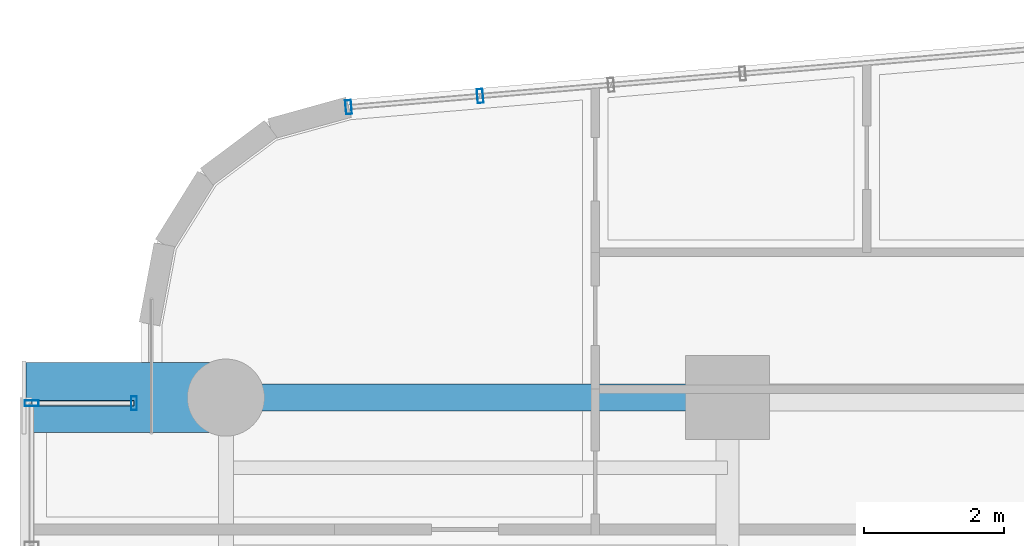
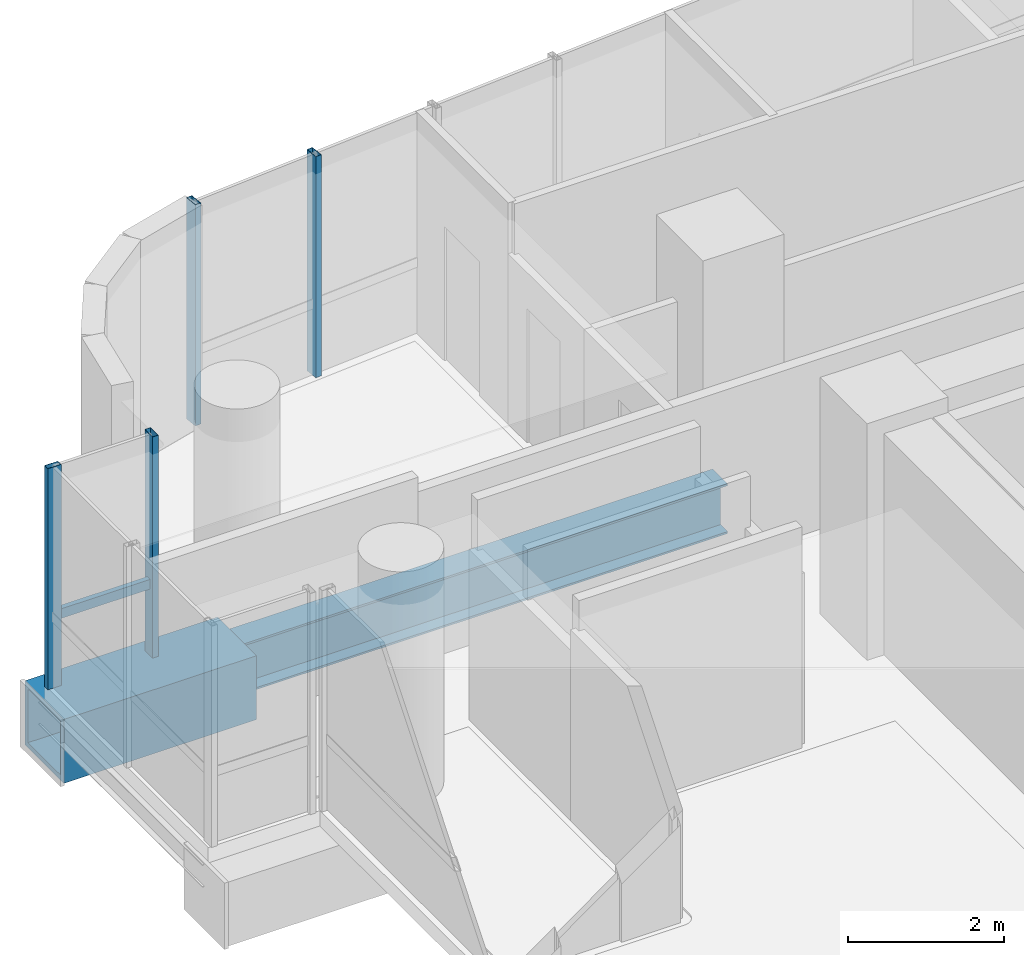
# One storey, part 19 of 35: 5 members, 2 beams, 3 elements without a shape of their own.
"""IFC4 building model written with IfcOpenShell, lengths in metres."""

from ifc_helpers import new_model, si_unit, direction, frame, origin, origin_2d, place, context, subcontext, project, spatial, hollow_rectangle, i_section, extrude, source, transform, mapped, material, material_profile, profile_set, type_object, element, aggregate, save


model = new_model("IFC4")

# Units and contexts
model_context = context("Model", 3, precision=1e-05, world=origin(), true_north=direction((0.0, 1.0)))
body_context = subcontext(model_context, "Body", "Model", "MODEL_VIEW")
ifc_project = project(units=[si_unit("LENGTHUNIT", "METRE"), si_unit("AREAUNIT", "SQUARE_METRE"), si_unit("VOLUMEUNIT", "CUBIC_METRE"), si_unit("PLANEANGLEUNIT", "RADIAN"), si_unit("MASSUNIT", "GRAM", prefix="KILO")], contexts=[model_context])

# Site, building, storey
site_placement = place(None, origin())
site = spatial("IfcSite", under=ifc_project, at=site_placement, CompositionType="ELEMENT")
building_placement = place(site_placement, origin())
building = spatial("IfcBuilding", under=site, at=building_placement, Name="Valdorenza Pilgrim Sanctuary Tower", CompositionType="ELEMENT")
storey_placement = place(building_placement, frame((0.0, 0.0, 150.10009765625)))
storey = spatial("IfcBuildingStorey", under=building, at=storey_placement, Name="L38", CompositionType="ELEMENT", Elevation=150.10009765625)

# Beams
ifc_material_1 = material(Name="Steel ASTM A992 Grade 50", Category="steel")
ifc_material_profile_1 = material_profile(ifc_material_1, i_section(OverallWidth=0.382080078125, OverallDepth=0.779052734375, WebThickness=0.01806640625, FlangeThickness=0.030029296875, at=origin_2d()), Name="W30X191")
ifc_profile_set_1 = profile_set([ifc_material_profile_1], Name="Steel ASTM A992 Grade 50")
beam_type_1 = type_object("IfcBeamType", Name="STR-BM-GRD-W30", PredefinedType="BEAM", material=ifc_profile_set_1)
shared_shape_1 = source(origin(), body_context, "Body", "SweptSolid", [
    extrude(i_section(OverallWidth=0.382080078125, OverallDepth=0.779052734375, WebThickness=0.01806640625, FlangeThickness=0.030029296875, at=origin_2d()), origin(), (0.0, 0.0, 1.0), 7.150146484375),
])
beam_1_placement = place(storey_placement, frame((-29.800048828125, 14.800048828125, -0.629638671875), z_axis=(1.0, 0.0, 0.0), x_axis=(0.0, 1.0, 0.0)))
element("IfcBeam", 1, at=beam_1_placement, inside=storey, type_object=beam_type_1, Name="L38 Floor Girder WA-XW-N2", PredefinedType="BEAM", context=body_context, shape_type="MappedRepresentation", body=[
    mapped(shared_shape_1, transform((0.0, 0.0, 0.0), x_axis=(1.0, 0.0, 0.0), y_axis=(0.0, 1.0, 0.0), z_axis=(0.0, 0.0, 1.0), scale=1.0)),
])
ifc_material_2 = material(Name="Steel ASTM A572 Grade 42", Category="steel")
ifc_material_profile_2 = material_profile(ifc_material_2, hollow_rectangle(XDim=1.0, YDim=1.0, WallThickness=0.080078125, at=origin_2d()), Name="BOX 1000x1000x80")
ifc_profile_set_2 = profile_set([ifc_material_profile_2], Name="Steel ASTM A572 Grade 42")
beam_type_2 = type_object("IfcBeamType", Name="STR-BM-PROW-CANT", PredefinedType="BEAM", material=ifc_profile_set_2)
shared_shape_2 = source(origin(), body_context, "Body", "SweptSolid", [
    extrude(hollow_rectangle(XDim=1.0, YDim=1.0, WallThickness=0.080078125, at=origin_2d()), origin(), (0.0, 0.0, 1.0), 2.849853515625),
])
beam_2_placement = place(storey_placement, frame((-29.800048828125, 14.800048828125, -0.739990234375), z_axis=(-1.0, 0.0, 0.0), x_axis=(0.0, -1.0, 0.0)))
element("IfcBeam", 2, at=beam_2_placement, inside=storey, type_object=beam_type_2, Name="L38 Glass Box Cantilever Beam BOX-WA-L38-CT-N", PredefinedType="BEAM", context=body_context, shape_type="MappedRepresentation", body=[
    mapped(shared_shape_2, transform((0.0, 0.0, 0.0), x_axis=(1.0, 0.0, 0.0), y_axis=(0.0, 1.0, 0.0), z_axis=(0.0, 0.0, 1.0), scale=1.0)),
])

# Curtain wall, member
ifc_material_3 = material(Name="Curtain-wall IGU glazing", Category="glass")
curtain_wall_type = type_object("IfcCurtainWallType", Name="CW-SYS-02", PredefinedType="NOTDEFINED", material=ifc_material_3)
curtain_wall_1_placement = place(storey_placement, origin())
curtain_wall_1 = element("IfcCurtainWall", 3, at=curtain_wall_1_placement, inside=storey, type_object=curtain_wall_type, Name="L38 Curtain Wall CW-L38-1-6", PredefinedType="NOTDEFINED")
ifc_material_4 = material(Name="Anodised aluminium AW-6060", Category="aluminium")
ifc_material_profile_3 = material_profile(ifc_material_4, hollow_rectangle(XDim=0.0849609375, YDim=0.199951171875, WallThickness=0.0048828125, at=origin_2d()), Name="ALU-M 200x85x5")
ifc_profile_set_3 = profile_set([ifc_material_profile_3], Name="Anodised aluminium AW-6060")
member_type_1 = type_object("IfcMemberType", Name="CW-MUL-02", PredefinedType="MULLION", material=ifc_profile_set_3)
shared_shape_3 = source(origin(), body_context, "Body", "SweptSolid", [
    extrude(hollow_rectangle(XDim=0.0849609375, YDim=0.199951171875, WallThickness=0.0048828125, at=origin_2d()), origin(), (0.0, 0.0, 1.0), 3.4599609375),
])
member_1_placement = place(storey_placement, frame((-28.051513671875, 18.940185546875, 0.0), z_axis=(0.0, 0.0, 1.0), x_axis=(0.99640764237, 0.084686541006, 0.0)))
member_1 = element("IfcMember", 4, at=member_1_placement, type_object=member_type_1, Name="CW-L38-1-6 Mullion 1", PredefinedType="MULLION", context=body_context, shape_type="MappedRepresentation", body=[
    mapped(shared_shape_3, transform((0.0, 0.0, 0.0), x_axis=(1.0, 0.0, 0.0), y_axis=(0.0, 1.0, 0.0), z_axis=(0.0, 0.0, 1.0), scale=1.0)),
])

curtain_wall_2_placement = place(storey_placement, origin())
curtain_wall_2 = element("IfcCurtainWall", 5, at=curtain_wall_2_placement, inside=storey, type_object=curtain_wall_type, Name="L38 Curtain Wall CW-L38-BOX-WA-L38-F", PredefinedType="NOTDEFINED")
member_2_placement = place(storey_placement, frame((-32.570068359375, 14.719970703125, 0.0), z_axis=(0.0, 0.0, 1.0), x_axis=(0.0, 1.0, 0.0)))
member_2 = element("IfcMember", 6, at=member_2_placement, type_object=member_type_1, Name="CW-L38-BOX-WA-L38-F Mullion 3", PredefinedType="MULLION", context=body_context, shape_type="MappedRepresentation", body=[
    mapped(shared_shape_3, transform((0.0, 0.0, 0.0), x_axis=(1.0, 0.0, 0.0), y_axis=(0.0, 1.0, 0.0), z_axis=(0.0, 0.0, 1.0), scale=1.0)),
])
aggregate(curtain_wall_2, [member_2])

curtain_wall_3_placement = place(storey_placement, origin())
curtain_wall_3 = element("IfcCurtainWall", 7, at=curtain_wall_3_placement, inside=storey, type_object=curtain_wall_type, Name="L38 Curtain Wall CW-L38-BOX-WA-L38-N", PredefinedType="NOTDEFINED")
member_3_placement = place(storey_placement, frame((-31.110107421875, 14.719970703125, 0.0), z_axis=(0.0, 0.0, 1.0), x_axis=(1.0, 0.0, 0.0)))
member_3 = element("IfcMember", 8, at=member_3_placement, type_object=member_type_1, Name="CW-L38-BOX-WA-L38-N Mullion 2", PredefinedType="MULLION", context=body_context, shape_type="MappedRepresentation", body=[
    mapped(shared_shape_3, transform((0.0, 0.0, 0.0), x_axis=(1.0, 0.0, 0.0), y_axis=(0.0, 1.0, 0.0), z_axis=(0.0, 0.0, 1.0), scale=1.0)),
])

# Member
member_4_placement = place(storey_placement, frame((-26.17578125, 19.099609375, 0.0), z_axis=(0.0, 0.0, 1.0), x_axis=(0.99640764237, 0.084686541006, 0.0)))
member_4 = element("IfcMember", 9, at=member_4_placement, type_object=member_type_1, Name="CW-L38-1-6 Sub-Mullion 63-1", PredefinedType="MULLION", context=body_context, shape_type="MappedRepresentation", body=[
    mapped(shared_shape_3, transform((0.0, 0.0, 0.0), x_axis=(1.0, 0.0, 0.0), y_axis=(0.0, 1.0, 0.0), z_axis=(0.0, 0.0, 1.0), scale=1.0)),
])

aggregate(curtain_wall_1, [member_1, member_4])

ifc_material_profile_4 = material_profile(ifc_material_4, hollow_rectangle(XDim=0.074951171875, YDim=0.14990234375, WallThickness=0.00390625, at=origin_2d()), Name="ALU-T 150x75x4")
ifc_profile_set_4 = profile_set([ifc_material_profile_4], Name="Anodised aluminium AW-6060")
member_type_2 = type_object("IfcMemberType", Name="CW-TRN-02", PredefinedType="USERDEFINED", material=ifc_profile_set_4)
shared_shape_4 = source(origin(), body_context, "Body", "SweptSolid", [
    extrude(hollow_rectangle(XDim=0.074951171875, YDim=0.14990234375, WallThickness=0.00390625, at=origin_2d()), origin(), (0.0, 0.0, 1.0), 1.4599609375),
])
member_5_placement = place(storey_placement, frame((-32.570068359375, 14.719970703125, 1.119873046875), z_axis=(1.0, 0.0, 0.0), x_axis=(0.0, 1.0, 0.0)))
member_5 = element("IfcMember", 10, at=member_5_placement, type_object=member_type_2, Name="CW-L38-BOX-WA-L38-N Transom 1", ObjectType="TRANSOM", PredefinedType="USERDEFINED", context=body_context, shape_type="MappedRepresentation", body=[
    mapped(shared_shape_4, transform((0.0, 0.0, 0.0), x_axis=(1.0, 0.0, 0.0), y_axis=(0.0, 1.0, 0.0), z_axis=(0.0, 0.0, 1.0), scale=1.0)),
])

aggregate(curtain_wall_3, [member_3, member_5])

save(model, "model.ifc")
